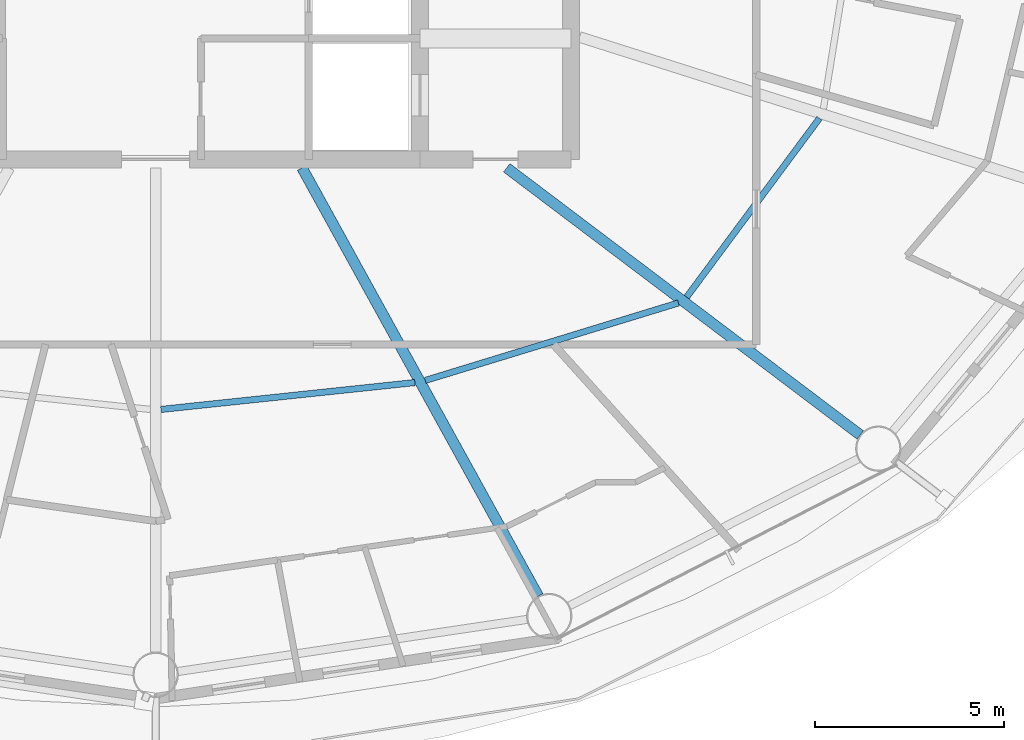
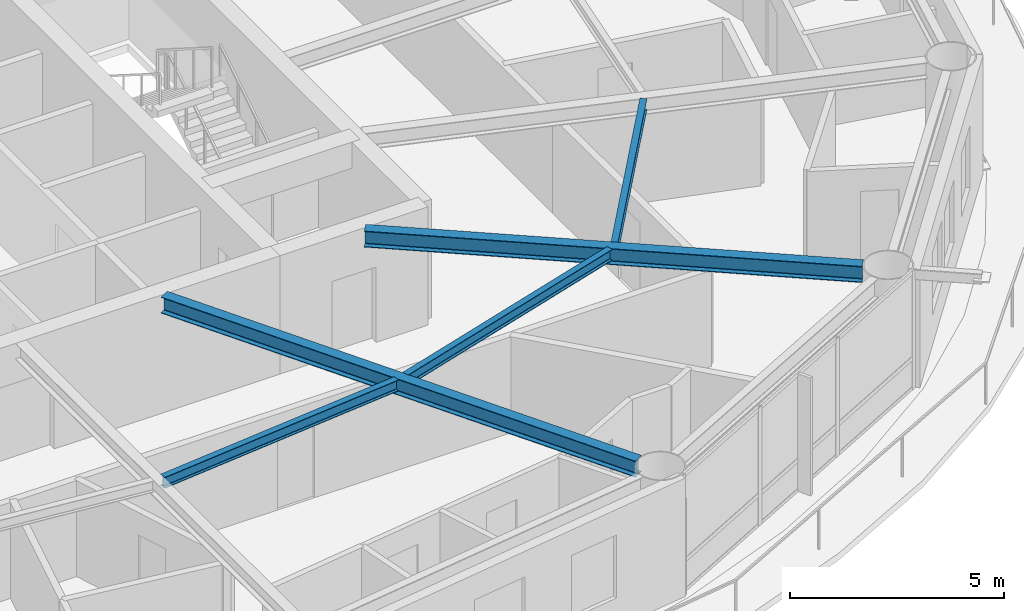
# One storey, part 6 of 28: 5 beams.
"""IFC4 building model written with IfcOpenShell, lengths in metres."""

from ifc_helpers import new_model, si_unit, direction, frame, origin, origin_2d, place, context, subcontext, project, spatial, i_section, extrude, material, material_profile, profile_set, type_object, element, save


model = new_model("IFC4")

# Units and contexts
model_context = context("Model", 3, precision=1e-05, world=origin(), true_north=direction((0.0, 1.0)))
body_context = subcontext(model_context, "Body", "Model", "MODEL_VIEW")
ifc_project = project(units=[si_unit("LENGTHUNIT", "METRE"), si_unit("AREAUNIT", "SQUARE_METRE"), si_unit("VOLUMEUNIT", "CUBIC_METRE"), si_unit("PLANEANGLEUNIT", "RADIAN"), si_unit("MASSUNIT", "GRAM", prefix="KILO")], contexts=[model_context])

# Site, building, storey
site_placement = place(None, origin())
site = spatial("IfcSite", under=ifc_project, at=site_placement, CompositionType="ELEMENT")
building_placement = place(site_placement, origin())
building = spatial("IfcBuilding", under=site, at=building_placement, Name="Sarneth Arch Tower", CompositionType="ELEMENT")
storey_placement = place(building_placement, frame((0.0, 0.0, 183.0)))
storey = spatial("IfcBuildingStorey", under=building, at=storey_placement, Name="L46", CompositionType="ELEMENT", Elevation=183.0)

# Beams
ifc_material_1 = material(Name="Steel S355", Category="steel")
ifc_material_profile_1 = material_profile(ifc_material_1, i_section(OverallWidth=0.1669921875, OverallDepth=0.31689453125, WebThickness=0.007568359375, FlangeThickness=0.01318359375, FilletRadius=0.012939453125, at=origin_2d()), Name="W310x52")
ifc_profile_set_1 = profile_set([ifc_material_profile_1], Name="Steel S355")
beam_type_1 = type_object("IfcBeamType", Name="BM-JOIST-310B", PredefinedType="JOIST", material=ifc_profile_set_1)
beam_1_placement = place(storey_placement, frame((48.13916015625, 28.5771484375, 3.221435546875), z_axis=(0.994447340543, 0.105235387994, 0.0), x_axis=(-0.105235387994, 0.994447340543, 0.0)))
element("IfcBeam", 1, at=beam_1_placement, inside=storey, type_object=beam_type_1, Name="L46 Secondary floor joist 13", PredefinedType="JOIST", context=body_context, shape_type="SweptSolid", body=[
    extrude(i_section(OverallWidth=0.1669921875, OverallDepth=0.31689453125, WebThickness=0.007568359375, FlangeThickness=0.01318359375, FilletRadius=0.012939453125, at=origin_2d()), origin(), (0.0, 0.0, 1.0), 6.7626953125),
])
beam_2_placement = place(storey_placement, frame((55.137451171875, 29.344482421875, 3.221435546875), z_axis=(0.956178669891, 0.292783796076, 0.0), x_axis=(-0.292783796076, 0.956178669891, 0.0)))
element("IfcBeam", 2, at=beam_2_placement, inside=storey, type_object=beam_type_1, Name="L46 Secondary floor joist 14", PredefinedType="JOIST", context=body_context, shape_type="SweptSolid", body=[
    extrude(i_section(OverallWidth=0.1669921875, OverallDepth=0.31689453125, WebThickness=0.007568359375, FlangeThickness=0.01318359375, FilletRadius=0.012939453125, at=origin_2d()), origin(), (0.0, 0.0, 1.0), 7.010986328125),
])
beam_3_placement = place(storey_placement, frame((62.058837890625, 31.550537109375, 3.221435546875), z_axis=(0.596190586674, 0.802842938788, 0.0), x_axis=(-0.802842938788, 0.596190586674, 0.0)))
element("IfcBeam", 3, at=beam_3_placement, inside=storey, type_object=beam_type_1, Name="L46 Secondary floor joist 15", PredefinedType="JOIST", context=body_context, shape_type="SweptSolid", body=[
    extrude(i_section(OverallWidth=0.1669921875, OverallDepth=0.31689453125, WebThickness=0.007568359375, FlangeThickness=0.01318359375, FilletRadius=0.012939453125, at=origin_2d()), origin(), (0.0, 0.0, 1.0), 5.896484375),
])
ifc_material_2 = material(Name="Steel S355", Category="steel")
ifc_material_profile_2 = material_profile(ifc_material_2, i_section(OverallWidth=0.280029296875, OverallDepth=0.462890625, WebThickness=0.0107421875, FlangeThickness=0.017333984375, FilletRadius=0.01806640625, at=origin_2d()), Name="W460x113")
ifc_profile_set_2 = profile_set([ifc_material_profile_2], Name="Steel S355")
beam_type_2 = type_object("IfcBeamType", Name="BM-RAD-460A", PredefinedType="BEAM", material=ifc_profile_set_2)
beam_4_placement = place(storey_placement, frame((51.875, 34.97509765625, 3.1484375), z_axis=(0.483010082599, -0.875614789795, 0.0), x_axis=(0.875614789795, 0.483010082599, 0.0)))
element("IfcBeam", 4, at=beam_4_placement, inside=storey, type_object=beam_type_2, Name="L46 Radial floor girder 14", PredefinedType="BEAM", context=body_context, shape_type="SweptSolid", body=[
    extrude(i_section(OverallWidth=0.280029296875, OverallDepth=0.462890625, WebThickness=0.0107421875, FlangeThickness=0.017333984375, FilletRadius=0.01806640625, at=origin_2d()), origin(), (0.0, 0.0, 1.0), 12.954345703125),
])
beam_5_placement = place(storey_placement, frame((57.29541015625, 34.97509765625, 3.1484375), z_axis=(0.797784574467, -0.602942594898, 0.0), x_axis=(0.602942594898, 0.797784574467, 0.0)))
element("IfcBeam", 5, at=beam_5_placement, inside=storey, type_object=beam_type_2, Name="L46 Radial floor girder 15", PredefinedType="BEAM", context=body_context, shape_type="SweptSolid", body=[
    extrude(i_section(OverallWidth=0.280029296875, OverallDepth=0.462890625, WebThickness=0.0107421875, FlangeThickness=0.017333984375, FilletRadius=0.01806640625, at=origin_2d()), origin(), (0.0, 0.0, 1.0), 11.73193359375),
])

save(model, "model.ifc")
